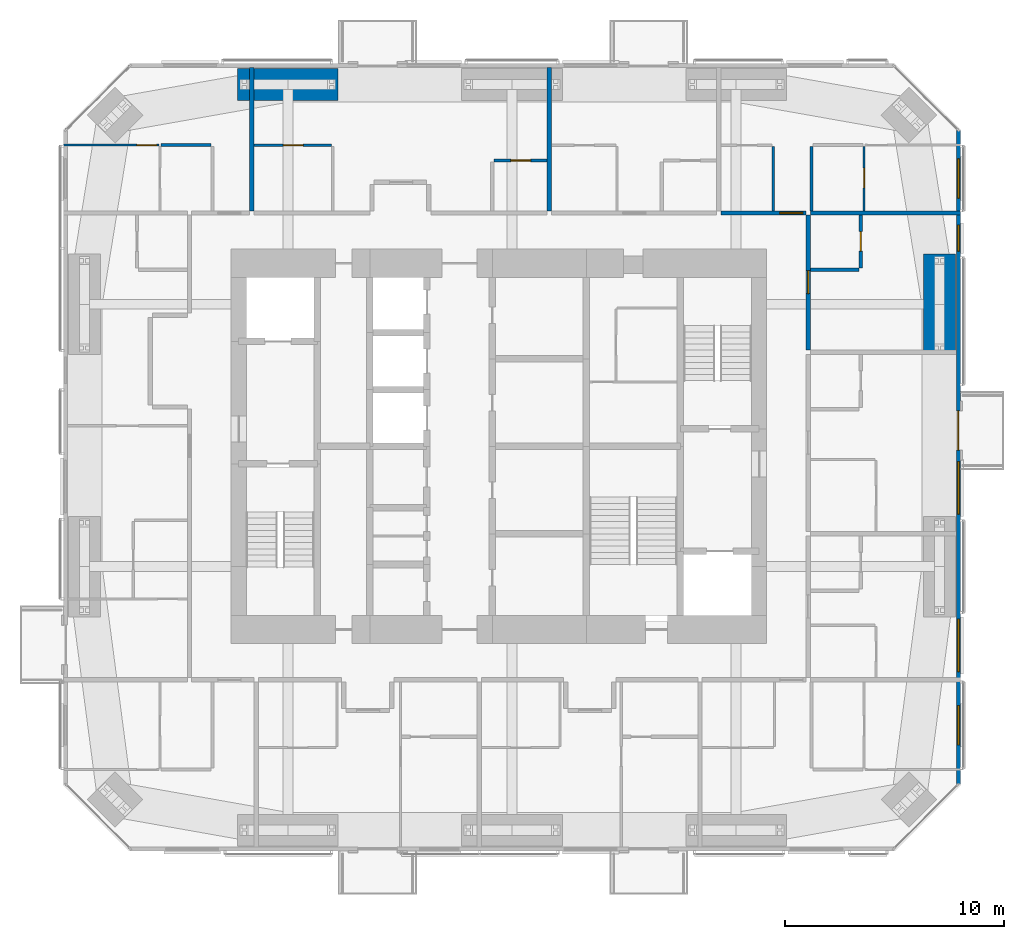
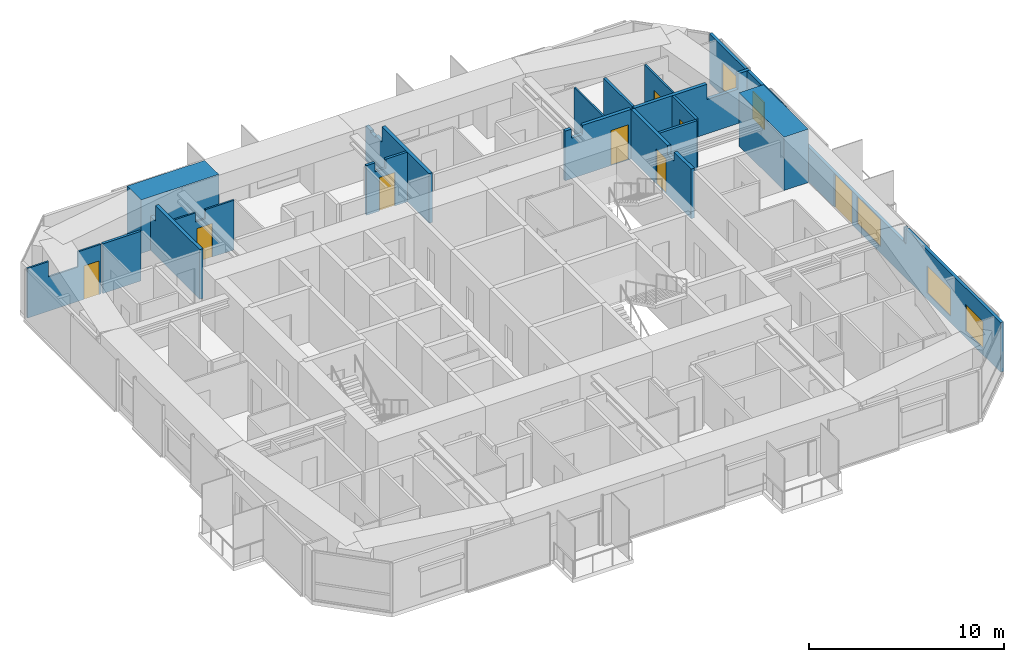
# One storey, part 20 of 22: 17 walls, 8 doors, 5 windows, 13 openings.
"""IFC4 building model written with IfcOpenShell, lengths in metres."""

from ifc_helpers import new_model, si_unit, direction, frame, frame_2d, origin, place, context, subcontext, project, spatial, polyline, rectangle, outline, extrude, material, layer, layer_set, constituent, constituent_set, type_object, element, fill, save


model = new_model("IFC4")

# Units and contexts
model_context = context("Model", 3, precision=1e-05, world=origin(), true_north=direction((0.0, 1.0)))
body_context = subcontext(model_context, "Body", "Model", "MODEL_VIEW")
ifc_project = project(units=[si_unit("LENGTHUNIT", "METRE"), si_unit("AREAUNIT", "SQUARE_METRE"), si_unit("VOLUMEUNIT", "CUBIC_METRE"), si_unit("PLANEANGLEUNIT", "RADIAN"), si_unit("MASSUNIT", "GRAM", prefix="KILO")], contexts=[model_context])

# Site, building, storey
site_placement = place(None, origin())
site = spatial("IfcSite", under=ifc_project, at=site_placement, CompositionType="ELEMENT")
building_placement = place(site_placement, origin())
building = spatial("IfcBuilding", under=site, at=building_placement, Name="Jalousie Tower", CompositionType="ELEMENT")
storey_placement = place(building_placement, frame((0.0, 0.0, 161.050048828125)))
storey = spatial("IfcBuildingStorey", under=building, at=storey_placement, Name="L43", CompositionType="ELEMENT", Elevation=161.050048828125)

# Wall
ifc_material_1 = material(Name="Concrete block ASTM C90", Category="concrete")
ifc_constituent_1 = constituent(ifc_material_1, Name="Body")
ifc_material_2 = material(Name="Render")
ifc_constituent_2 = constituent(ifc_material_2, Name="Finish")
ifc_constituent_set_1 = constituent_set(constituents=[ifc_constituent_1, ifc_constituent_2])
wall_type_1 = type_object("IfcWallType", Name="BATHROOM WALL 150", PredefinedType="PLUMBINGWALL", material=ifc_constituent_set_1)
wall_1_placement = place(storey_placement, frame((18.72509765625, 32.27880859375, 0.0), z_axis=(0.0, 0.0, 1.0), x_axis=(-1.0, 0.0, 0.0)))
element("IfcWall", 1, at=wall_1_placement, inside=storey, type_object=wall_type_1, Name="Bathroom Wall 150 L43", PredefinedType="PLUMBINGWALL", context=body_context, shape_type="SweptSolid", body=[
    extrude(rectangle(XDim=2.275146484375, YDim=0.14990234375, at=frame_2d((1.1376953125, 0.0))), origin(), (0.0, 0.0, 1.0), 3.10986328125),
])

# Wall, opening, door
wall_2_placement = place(storey_placement, frame((31.675048828125, 31.574951171875, 0.0), z_axis=(0.0, 0.0, 1.0), x_axis=(1.0, 0.0, 0.0)))
wall_2 = element("IfcWall", 2, at=wall_2_placement, inside=storey, type_object=wall_type_1, Name="Bathroom Wall 150 L43", PredefinedType="PLUMBINGWALL", context=body_context, shape_type="SweptSolid", body=[
    extrude(outline(polyline([(0.0, 0.0), (2.425048828125, 0.0), (2.425048828125, 3.10986328125), (1.137451171875, 3.10986328125), (1.137451171875, 2.541015625), (0.5126953125, 2.541015625), (0.5126953125, 3.10986328125), (0.0, 3.10986328125), (0.0, 0.0)])), frame((0.0, 0.074951171875, 0.0), z_axis=(0.0, -1.0, 0.0), x_axis=(1.0, 0.0, 0.0)), (0.0, 0.0, 1.0), 0.14990234375),
])
opening_1_placement = place(wall_2_placement, frame((0.77490234375, 0.0, 0.0)))
opening_1 = element("IfcOpeningElement", 3, at=opening_1_placement, cuts=wall_2, Name="Opening D3", PredefinedType="OPENING", context=body_context, shape_type="SweptSolid", body=[
    extrude(rectangle(XDim=0.89990234375, YDim=2.10009765625, at=frame_2d((0.449951171875, 1.050048828125))), frame((0.0, 0.0849609375, 0.0), z_axis=(0.0, -1.0, 0.0), x_axis=(1.0, 0.0, 0.0)), (0.0, 0.0, 1.0), 0.169921875),
])
ifc_material_3 = material(Name="Timber door", Category="wood")
door_type_1 = type_object("IfcDoorType", Name="BATHROOM DOOR 900", OperationType="SINGLE_SWING_LEFT", PredefinedType="DOOR", material=ifc_material_3)
door_1_placement = place(opening_1_placement, frame((0.89990234375, 0.0, 0.0), z_axis=(0.0, 0.0, 1.0), x_axis=(-1.0, 0.0, 0.0)))
door_1 = element("IfcDoor", 4, at=door_1_placement, inside=storey, type_object=door_type_1, Name="Apartment 4306 bathroom door", OperationType="SINGLE_SWING_LEFT", OverallHeight=2.10009765625, OverallWidth=0.89990234375, PredefinedType="DOOR", context=body_context, shape_type="SweptSolid", body=[
    extrude(rectangle(XDim=0.89990234375, YDim=2.10009765625, at=frame_2d((0.449951171875, 1.050048828125))), frame((0.0, 0.02490234375, 0.0), z_axis=(0.0, -1.0, 0.0), x_axis=(1.0, 0.0, 0.0)), (0.0, 0.0, 1.0), 0.050048828125),
])
fill(opening_1, door_1)

# Wall
wall_3_placement = place(storey_placement, frame((46.199951171875, 32.20361328125, 0.0), z_axis=(0.0, 0.0, 1.0), x_axis=(0.0, -1.0, 0.0)))
element("IfcWall", 5, at=wall_3_placement, inside=storey, type_object=wall_type_1, Name="Bathroom Wall 150 L43", PredefinedType="PLUMBINGWALL", context=body_context, shape_type="SweptSolid", body=[
    extrude(rectangle(XDim=2.9287109375, YDim=0.14990234375, at=frame_2d((1.46435546875, 0.0))), origin(), (0.0, 0.0, 1.0), 3.10986328125),
])

# Wall, opening, door
wall_4_placement = place(storey_placement, frame((48.449951171875, 26.64990234375, 0.0), z_axis=(0.0, 0.0, 1.0), x_axis=(0.0, 1.0, 0.0)))
wall_4 = element("IfcWall", 6, at=wall_4_placement, inside=storey, type_object=wall_type_1, Name="Bathroom Wall 150 L43", PredefinedType="PLUMBINGWALL", context=body_context, shape_type="SweptSolid", body=[
    extrude(rectangle(XDim=2.425048828125, YDim=0.14990234375, at=frame_2d((1.21240234375, 0.0))), origin(), (0.0, 0.0, 1.0), 3.10986328125),
])
opening_2_placement = place(wall_4_placement, frame((0.77490234375, 0.0, 0.0)))
opening_2 = element("IfcOpeningElement", 7, at=opening_2_placement, cuts=wall_4, Name="Opening D3", PredefinedType="OPENING", context=body_context, shape_type="SweptSolid", body=[
    extrude(rectangle(XDim=0.89990234375, YDim=2.10009765625, at=frame_2d((0.449951171875, 1.050048828125))), frame((0.0, 0.0849609375, 0.0), z_axis=(0.0, -1.0, 0.0), x_axis=(1.0, 0.0, 0.0)), (0.0, 0.0, 1.0), 0.169921875),
])
door_2_placement = place(opening_2_placement, origin())
door_2 = element("IfcDoor", 8, at=door_2_placement, inside=storey, type_object=door_type_1, Name="Apartment 4312 bathroom door", OperationType="SINGLE_SWING_RIGHT", OverallHeight=2.10009765625, OverallWidth=0.89990234375, PredefinedType="DOOR", context=body_context, shape_type="SweptSolid", body=[
    extrude(rectangle(XDim=0.89990234375, YDim=2.10009765625, at=frame_2d((0.449951171875, 1.050048828125))), frame((0.0, 0.02490234375, 0.0), z_axis=(0.0, -1.0, 0.0), x_axis=(1.0, 0.0, 0.0)), (0.0, 0.0, 1.0), 0.050048828125),
])
fill(opening_2, door_2)

# Wall
wall_5_placement = place(storey_placement, frame((48.375, 26.574951171875, 0.0), z_axis=(0.0, 0.0, 1.0), x_axis=(-1.0, 0.0, 0.0)))
element("IfcWall", 9, at=wall_5_placement, inside=storey, type_object=wall_type_1, Name="Bathroom Wall 150 L43", PredefinedType="PLUMBINGWALL", context=body_context, shape_type="SweptSolid", body=[
    extrude(rectangle(XDim=2.22509765625, YDim=0.14990234375, at=frame_2d((1.112548828125, 0.0))), origin(), (0.0, 0.0, 1.0), 3.10986328125),
])

# Wall, opening, door
ifc_material_4 = material(Name="Concrete block ASTM C90", Category="concrete")
ifc_constituent_3 = constituent(ifc_material_4, Name="Body")
ifc_material_5 = material(Name="Render")
ifc_constituent_4 = constituent(ifc_material_5, Name="Finish")
ifc_constituent_set_2 = constituent_set(constituents=[ifc_constituent_3, ifc_constituent_4])
wall_type_2 = type_object("IfcWallType", Name="CORRIDOR WALL 200", PredefinedType="PARTITIONING", material=ifc_constituent_set_2)
wall_6_placement = place(storey_placement, frame((42.050048828125, 29.175048828125, 0.0), z_axis=(0.0, 0.0, 1.0), x_axis=(1.0, 0.0, 0.0)))
wall_6 = element("IfcWall", 10, at=wall_6_placement, inside=storey, type_object=wall_type_2, Name="Corridor Wall 200 L43", PredefinedType="PARTITIONING", context=body_context, shape_type="SweptSolid", body=[
    extrude(outline(polyline([(0.0, 0.0), (3.89990234375, 0.0), (3.89990234375, 3.10986328125), (1.037353515625, 3.10986328125), (1.037353515625, 2.541015625), (0.362548828125, 2.541015625), (0.362548828125, 3.10986328125), (0.0, 3.10986328125), (0.0, 0.0)])), frame((0.0, 0.10009765625, 0.0), z_axis=(0.0, -1.0, 0.0), x_axis=(1.0, 0.0, 0.0)), (0.0, 0.0, 1.0), 0.199951171875),
])
opening_3_placement = place(wall_6_placement, frame((2.699951171875, 0.0, 0.0)))
opening_3 = element("IfcOpeningElement", 11, at=opening_3_placement, cuts=wall_6, Name="Opening D1", PredefinedType="OPENING", context=body_context, shape_type="SweptSolid", body=[
    extrude(rectangle(XDim=1.050048828125, YDim=2.199951171875, at=frame_2d((0.52490234375, 1.10009765625))), frame((0.0, 0.10986328125, 0.0), z_axis=(0.0, -1.0, 0.0), x_axis=(1.0, 0.0, 0.0)), (0.0, 0.0, 1.0), 0.219970703125),
])
ifc_material_6 = material(Name="Timber fire door", Category="wood")
door_type_2 = type_object("IfcDoorType", Name="APARTMENT ENTRANCE DOOR 1050", OperationType="SINGLE_SWING_LEFT", PredefinedType="DOOR", material=ifc_material_6)
door_3_placement = place(opening_3_placement, origin())
door_3 = element("IfcDoor", 12, at=door_3_placement, inside=storey, type_object=door_type_2, Name="Apartment 4308 entrance", OperationType="SINGLE_SWING_LEFT", OverallHeight=2.199951171875, OverallWidth=1.050048828125, PredefinedType="DOOR", context=body_context, shape_type="SweptSolid", body=[
    extrude(rectangle(XDim=1.050048828125, YDim=2.199951171875, at=frame_2d((0.52490234375, 1.10009765625))), frame((0.0, 0.02490234375, 0.0), z_axis=(0.0, -1.0, 0.0), x_axis=(1.0, 0.0, 0.0)), (0.0, 0.0, 1.0), 0.050048828125),
])
fill(opening_3, door_3)

wall_7_placement = place(storey_placement, frame((46.050048828125, 22.89990234375, 0.0), z_axis=(0.0, 0.0, 1.0), x_axis=(0.0, 1.0, 0.0)))
wall_7 = element("IfcWall", 13, at=wall_7_placement, inside=storey, type_object=wall_type_2, Name="Corridor Wall 200 L43", PredefinedType="PARTITIONING", context=body_context, shape_type="SweptSolid", body=[
    extrude(outline(polyline([(0.0, 0.0), (6.175048828125, 0.0), (6.175048828125, 3.10986328125), (2.437255859375, 3.10986328125), (2.437255859375, 2.541015625), (1.7626953125, 2.541015625), (1.7626953125, 3.10986328125), (0.0, 3.10986328125), (0.0, 0.0)])), frame((0.0, 0.10009765625, 0.0), z_axis=(0.0, -1.0, 0.0), x_axis=(1.0, 0.0, 0.0)), (0.0, 0.0, 1.0), 0.199951171875),
])
opening_4_placement = place(wall_7_placement, frame((2.58740234375, 0.0, 0.0)))
opening_4 = element("IfcOpeningElement", 14, at=opening_4_placement, cuts=wall_7, Name="Opening D1", PredefinedType="OPENING", context=body_context, shape_type="SweptSolid", body=[
    extrude(rectangle(XDim=1.050048828125, YDim=2.199951171875, at=frame_2d((0.52490234375, 1.10009765625))), frame((0.0, 0.10986328125, 0.0), z_axis=(0.0, -1.0, 0.0), x_axis=(1.0, 0.0, 0.0)), (0.0, 0.0, 1.0), 0.219970703125),
])
door_4_placement = place(opening_4_placement, frame((1.050048828125, 0.0, 0.0), z_axis=(0.0, 0.0, 1.0), x_axis=(-1.0, 0.0, 0.0)))
door_4 = element("IfcDoor", 15, at=door_4_placement, inside=storey, type_object=door_type_2, Name="Apartment 4312 entrance", OperationType="SINGLE_SWING_LEFT", OverallHeight=2.199951171875, OverallWidth=1.050048828125, PredefinedType="DOOR", context=body_context, shape_type="SweptSolid", body=[
    extrude(rectangle(XDim=1.050048828125, YDim=2.199951171875, at=frame_2d((0.52490234375, 1.10009765625))), frame((0.0, 0.02490234375, 0.0), z_axis=(0.0, -1.0, 0.0), x_axis=(1.0, 0.0, 0.0)), (0.0, 0.0, 1.0), 0.050048828125),
])
fill(opening_4, door_4)

# Wall, openings, door, windows
ifc_material_7 = material(Name="Concrete f'c 40 MPa", Category="concrete")
ifc_constituent_5 = constituent(ifc_material_7, Name="Body")
ifc_material_8 = material(Name="Render, pastel lemon")
ifc_constituent_6 = constituent(ifc_material_8, Name="Finish")
ifc_constituent_set_3 = constituent_set(constituents=[ifc_constituent_5, ifc_constituent_6])
wall_type_3 = type_object("IfcWallType", Name="EXTERNAL WALL 175 LEMON RENDER", PredefinedType="SOLIDWALL", material=ifc_constituent_set_3)
wall_8_placement = place(storey_placement, frame((52.91259765625, 3.05126953125, 0.0), z_axis=(0.0, 0.0, 1.0), x_axis=(0.0, 1.0, 0.0)))
wall_8 = element("IfcWall", 16, at=wall_8_placement, inside=storey, type_object=wall_type_3, Name="External Wall 175 Lemon Render L43", PredefinedType="SOLIDWALL", context=body_context, shape_type="SweptSolid", body=[
    extrude(outline(polyline([(0.0, 0.0), (29.8974609375, 0.0), (29.8974609375, 3.10986328125), (22.16748046875, 3.10986328125), (22.16748046875, 2.14990234375), (22.073974609375, 2.14990234375), (22.073974609375, 3.10986328125), (21.94873046875, 3.10986328125), (21.94873046875, 2.14990234375), (9.94873046875, 2.14990234375), (9.94873046875, 3.10986328125), (9.846923828125, 3.10986328125), (9.846923828125, 2.14990234375), (9.7060546875, 2.14990234375), (9.7060546875, 3.10986328125), (0.0, 3.10986328125), (0.0, 0.0)])), frame((0.0, 0.08740234375, 0.0), z_axis=(0.0, -1.0, 0.0), x_axis=(1.0, 0.0, 0.0)), (0.0, 0.0, 1.0), 0.175048828125),
])
opening_5_placement = place(wall_8_placement, frame((1.796875, 0.0, 0.39990234375)))
opening_5 = element("IfcOpeningElement", 17, at=opening_5_placement, cuts=wall_8, Name="Opening W-BED170", PredefinedType="OPENING", context=body_context, shape_type="SweptSolid", body=[
    extrude(rectangle(XDim=1.800048828125, YDim=1.699951171875, at=frame_2d((0.89990234375, 0.85009765625))), frame((0.0, 0.097412109375, 0.0), z_axis=(0.0, -1.0, 0.0), x_axis=(1.0, 0.0, 0.0)), (0.0, 0.0, 1.0), 0.195068359375),
])
opening_6_placement = place(wall_8_placement, frame((5.148681640625, 0.0, 0.39990234375)))
opening_6 = element("IfcOpeningElement", 18, at=opening_6_placement, cuts=wall_8, Name="Opening W-LIV170", PredefinedType="OPENING", context=body_context, shape_type="SweptSolid", body=[
    extrude(rectangle(XDim=2.39990234375, YDim=1.699951171875, at=frame_2d((1.199951171875, 0.85009765625))), frame((0.0, 0.097412109375, 0.0), z_axis=(0.0, -1.0, 0.0), x_axis=(1.0, 0.0, 0.0)), (0.0, 0.0, 1.0), 0.195068359375),
])
opening_7_placement = place(wall_8_placement, frame((15.273681640625, 0.0, 0.0)))
opening_7 = element("IfcOpeningElement", 19, at=opening_7_placement, cuts=wall_8, Name="Opening D-BAL21", PredefinedType="OPENING", context=body_context, shape_type="SweptSolid", body=[
    extrude(rectangle(XDim=1.800048828125, YDim=2.10009765625, at=frame_2d((0.89990234375, 1.050048828125))), frame((0.0, 0.097412109375, 0.0), z_axis=(0.0, -1.0, 0.0), x_axis=(1.0, 0.0, 0.0)), (0.0, 0.0, 1.0), 0.195068359375),
])
opening_8_placement = place(wall_8_placement, frame((12.3486328125, 0.0, 0.39990234375)))
opening_8 = element("IfcOpeningElement", 20, at=opening_8_placement, cuts=wall_8, Name="Opening W-LIV170", PredefinedType="OPENING", context=body_context, shape_type="SweptSolid", body=[
    extrude(rectangle(XDim=2.39990234375, YDim=1.699951171875, at=frame_2d((1.199951171875, 0.85009765625))), frame((0.0, 0.097412109375, 0.0), z_axis=(0.0, -1.0, 0.0), x_axis=(1.0, 0.0, 0.0)), (0.0, 0.0, 1.0), 0.195068359375),
])
opening_9_placement = place(wall_8_placement, frame((24.373291015625, 0.0, 0.39990234375)))
opening_9 = element("IfcOpeningElement", 21, at=opening_9_placement, cuts=wall_8, Name="Opening W-COR170", PredefinedType="OPENING", context=body_context, shape_type="SweptSolid", body=[
    extrude(rectangle(XDim=1.199951171875, YDim=1.699951171875, at=frame_2d((0.60009765625, 0.85009765625))), frame((0.0, 0.097412109375, 0.0), z_axis=(0.0, -1.0, 0.0), x_axis=(1.0, 0.0, 0.0)), (0.0, 0.0, 1.0), 0.195068359375),
])
opening_10_placement = place(wall_8_placement, frame((26.800537109375, 0.0, 0.39990234375)))
opening_10 = element("IfcOpeningElement", 22, at=opening_10_placement, cuts=wall_8, Name="Opening W-BED170", PredefinedType="OPENING", context=body_context, shape_type="SweptSolid", body=[
    extrude(rectangle(XDim=1.800048828125, YDim=1.699951171875, at=frame_2d((0.89990234375, 0.85009765625))), frame((0.0, 0.097412109375, 0.0), z_axis=(0.0, -1.0, 0.0), x_axis=(1.0, 0.0, 0.0)), (0.0, 0.0, 1.0), 0.195068359375),
])
ifc_material_9 = material(Name="Aluminium frame, impact-rated glazing", Category="aluminium")
door_type_3 = type_object("IfcDoorType", Name="BALCONY DOOR 1800x2100", OperationType="SLIDING_TO_LEFT", PredefinedType="DOOR", material=ifc_material_9)
door_5_placement = place(opening_7_placement, origin())
door_5 = element("IfcDoor", 23, at=door_5_placement, inside=storey, type_object=door_type_3, Name="Apartment 4311 studio living and sleeping room balcony door", OperationType="SLIDING_TO_LEFT", OverallHeight=2.10009765625, OverallWidth=1.800048828125, PredefinedType="DOOR", context=body_context, shape_type="SweptSolid", body=[
    extrude(rectangle(XDim=1.800048828125, YDim=2.10009765625, at=frame_2d((0.89990234375, 1.050048828125))), frame((0.0, 0.02490234375, 0.0), z_axis=(0.0, -1.0, 0.0), x_axis=(1.0, 0.0, 0.0)), (0.0, 0.0, 1.0), 0.050048828125),
])
fill(opening_7, door_5)
ifc_material_10 = material(Name="Aluminium frame, impact-rated glazing", Category="aluminium")
window_type_1 = type_object("IfcWindowType", Name="WINDOW BED 1800x1700", PartitioningType="SINGLE_PANEL", PredefinedType="WINDOW", material=ifc_material_10)
window_1_placement = place(opening_5_placement, origin())
window_1 = element("IfcWindow", 24, at=window_1_placement, inside=storey, type_object=window_type_1, Name="Apartment 4304 bedroom 1 window", OverallHeight=1.699951171875, OverallWidth=1.800048828125, PartitioningType="SINGLE_PANEL", PredefinedType="WINDOW", context=body_context, shape_type="SweptSolid", body=[
    extrude(rectangle(XDim=1.800048828125, YDim=1.699951171875, at=frame_2d((0.89990234375, 0.85009765625))), frame((0.0, 0.030029296875, 0.0), z_axis=(0.0, -1.0, 0.0), x_axis=(1.0, 0.0, 0.0)), (0.0, 0.0, 1.0), 0.06005859375),
])
fill(opening_5, window_1)
window_2_placement = place(opening_10_placement, origin())
window_2 = element("IfcWindow", 25, at=window_2_placement, inside=storey, type_object=window_type_1, Name="Apartment 4308 bedroom 1 window", OverallHeight=1.699951171875, OverallWidth=1.800048828125, PartitioningType="SINGLE_PANEL", PredefinedType="WINDOW", context=body_context, shape_type="SweptSolid", body=[
    extrude(rectangle(XDim=1.800048828125, YDim=1.699951171875, at=frame_2d((0.89990234375, 0.85009765625))), frame((0.0, 0.030029296875, 0.0), z_axis=(0.0, -1.0, 0.0), x_axis=(1.0, 0.0, 0.0)), (0.0, 0.0, 1.0), 0.06005859375),
])
fill(opening_10, window_2)
ifc_material_11 = material(Name="Aluminium frame, impact-rated glazing", Category="aluminium")
window_type_2 = type_object("IfcWindowType", Name="WINDOW COR 1200x1700", PartitioningType="SINGLE_PANEL", PredefinedType="WINDOW", material=ifc_material_11)
window_3_placement = place(opening_9_placement, origin())
window_3 = element("IfcWindow", 26, at=window_3_placement, inside=storey, type_object=window_type_2, Name="Apartment 4312 studio kitchen, living and sleeping room window", OverallHeight=1.699951171875, OverallWidth=1.199951171875, PartitioningType="SINGLE_PANEL", PredefinedType="WINDOW", context=body_context, shape_type="SweptSolid", body=[
    extrude(rectangle(XDim=1.199951171875, YDim=1.699951171875, at=frame_2d((0.60009765625, 0.85009765625))), frame((0.0, 0.030029296875, 0.0), z_axis=(0.0, -1.0, 0.0), x_axis=(1.0, 0.0, 0.0)), (0.0, 0.0, 1.0), 0.06005859375),
])
fill(opening_9, window_3)
ifc_material_12 = material(Name="Aluminium frame, impact-rated glazing", Category="aluminium")
window_type_3 = type_object("IfcWindowType", Name="WINDOW LIV 2400x1700", PartitioningType="DOUBLE_PANEL_VERTICAL", PredefinedType="WINDOW", material=ifc_material_12)
window_4_placement = place(opening_6_placement, origin())
window_4 = element("IfcWindow", 27, at=window_4_placement, inside=storey, type_object=window_type_3, Name="Apartment 4310 studio living and sleeping room window", OverallHeight=1.699951171875, OverallWidth=2.39990234375, PartitioningType="SINGLE_PANEL", PredefinedType="WINDOW", context=body_context, shape_type="SweptSolid", body=[
    extrude(rectangle(XDim=2.39990234375, YDim=1.699951171875, at=frame_2d((1.199951171875, 0.85009765625))), frame((0.0, 0.030029296875, 0.0), z_axis=(0.0, -1.0, 0.0), x_axis=(1.0, 0.0, 0.0)), (0.0, 0.0, 1.0), 0.06005859375),
])
fill(opening_6, window_4)
window_5_placement = place(opening_8_placement, origin())
window_5 = element("IfcWindow", 28, at=window_5_placement, inside=storey, type_object=window_type_3, Name="Apartment 4311 studio living and sleeping room window", OverallHeight=1.699951171875, OverallWidth=2.39990234375, PartitioningType="SINGLE_PANEL", PredefinedType="WINDOW", context=body_context, shape_type="SweptSolid", body=[
    extrude(rectangle(XDim=2.39990234375, YDim=1.699951171875, at=frame_2d((1.199951171875, 0.85009765625))), frame((0.0, 0.030029296875, 0.0), z_axis=(0.0, -1.0, 0.0), x_axis=(1.0, 0.0, 0.0)), (0.0, 0.0, 1.0), 0.06005859375),
])
fill(opening_8, window_5)

# Wall, opening, door
ifc_material_13 = material(Name="Gypsum board", Category="gypsum")
ifc_constituent_7 = constituent(ifc_material_13, Name="Body")
ifc_material_14 = material(Name="Light-gauge steel studs ASTM A653 SS Grade 33", Category="steel")
ifc_constituent_8 = constituent(ifc_material_14, Name="Framing")
ifc_constituent_set_4 = constituent_set(constituents=[ifc_constituent_7, ifc_constituent_8])
wall_type_4 = type_object("IfcWallType", Name="PARTITION 100", PredefinedType="PARTITIONING", material=ifc_constituent_set_4)
wall_9_placement = place(storey_placement, frame((16.35009765625, 32.27880859375, 0.0), z_axis=(0.0, 0.0, 1.0), x_axis=(-1.0, 0.0, 0.0)))
wall_9 = element("IfcWall", 29, at=wall_9_placement, inside=storey, type_object=wall_type_4, Name="Partition 100 L43", PredefinedType="PARTITIONING", context=body_context, shape_type="SweptSolid", body=[
    extrude(outline(polyline([(0.0, 0.0), (4.35009765625, 0.0), (4.35009765625, 3.10986328125), (3.094482421875, 3.10986328125), (3.094482421875, 2.14990234375), (1.352294921875, 2.14990234375), (1.352294921875, 3.10986328125), (0.0, 3.10986328125), (0.0, 0.0)])), frame((0.0, 0.050048828125, 0.0), z_axis=(0.0, -1.0, 0.0), x_axis=(1.0, 0.0, 0.0)), (0.0, 0.0, 1.0), 0.10009765625),
])
opening_11_placement = place(wall_9_placement, frame((0.10009765625, 0.0, 0.0)))
opening_11 = element("IfcOpeningElement", 30, at=opening_11_placement, cuts=wall_9, Name="Opening D2", PredefinedType="OPENING", context=body_context, shape_type="SweptSolid", body=[
    extrude(rectangle(XDim=0.89990234375, YDim=2.10009765625, at=frame_2d((0.449951171875, 1.050048828125))), frame((0.0, 0.06005859375, 0.0), z_axis=(0.0, -1.0, 0.0), x_axis=(1.0, 0.0, 0.0)), (0.0, 0.0, 1.0), 0.1201171875),
])
ifc_material_15 = material(Name="Timber door", Category="wood")
door_type_4 = type_object("IfcDoorType", Name="BEDROOM DOOR 900", OperationType="SINGLE_SWING_LEFT", PredefinedType="DOOR", material=ifc_material_15)
door_6_placement = place(opening_11_placement, origin())
door_6 = element("IfcDoor", 31, at=door_6_placement, inside=storey, type_object=door_type_4, Name="Apartment 4305 bedroom 1 door", OperationType="SINGLE_SWING_LEFT", OverallHeight=2.10009765625, OverallWidth=0.89990234375, PredefinedType="DOOR", context=body_context, shape_type="SweptSolid", body=[
    extrude(rectangle(XDim=0.89990234375, YDim=2.10009765625, at=frame_2d((0.449951171875, 1.050048828125))), frame((0.0, 0.02490234375, 0.0), z_axis=(0.0, -1.0, 0.0), x_axis=(1.0, 0.0, 0.0)), (0.0, 0.0, 1.0), 0.050048828125),
])
fill(opening_11, door_6)

wall_10_placement = place(storey_placement, frame((20.699951171875, 32.27490234375, 0.0), z_axis=(0.0, 0.0, 1.0), x_axis=(1.0, 0.0, 0.0)))
wall_10 = element("IfcWall", 32, at=wall_10_placement, inside=storey, type_object=wall_type_4, Name="Partition 100 L43", PredefinedType="PARTITIONING", context=body_context, shape_type="SweptSolid", body=[
    extrude(outline(polyline([(0.0, 0.0), (3.550048828125, 0.0), (3.550048828125, 3.10986328125), (1.83740234375, 3.10986328125), (1.83740234375, 2.541015625), (1.2626953125, 2.541015625), (1.2626953125, 3.10986328125), (0.0, 3.10986328125), (0.0, 0.0)])), frame((0.0, 0.050048828125, 0.0), z_axis=(0.0, -1.0, 0.0), x_axis=(1.0, 0.0, 0.0)), (0.0, 0.0, 1.0), 0.10009765625),
])
opening_12_placement = place(wall_10_placement, frame((1.35009765625, 0.0, 0.0)))
opening_12 = element("IfcOpeningElement", 33, at=opening_12_placement, cuts=wall_10, Name="Opening D7", PredefinedType="OPENING", context=body_context, shape_type="SweptSolid", body=[
    extrude(rectangle(XDim=0.89990234375, YDim=2.10009765625, at=frame_2d((0.449951171875, 1.050048828125))), frame((0.0, 0.06005859375, 0.0), z_axis=(0.0, -1.0, 0.0), x_axis=(1.0, 0.0, 0.0)), (0.0, 0.0, 1.0), 0.1201171875),
])
ifc_material_16 = material(Name="Timber door", Category="wood")
door_type_5 = type_object("IfcDoorType", Name="INTERNAL DOOR 900", OperationType="SINGLE_SWING_LEFT", PredefinedType="DOOR", material=ifc_material_16)
door_7_placement = place(opening_12_placement, frame((0.89990234375, 0.0, 0.0), z_axis=(0.0, 0.0, 1.0), x_axis=(-1.0, 0.0, 0.0)))
door_7 = element("IfcDoor", 34, at=door_7_placement, inside=storey, type_object=door_type_5, Name="Apartment 4306 kitchen door", OperationType="SINGLE_SWING_LEFT", OverallHeight=2.10009765625, OverallWidth=0.89990234375, PredefinedType="DOOR", context=body_context, shape_type="SweptSolid", body=[
    extrude(rectangle(XDim=0.89990234375, YDim=2.10009765625, at=frame_2d((0.449951171875, 1.050048828125))), frame((0.0, 0.02490234375, 0.0), z_axis=(0.0, -1.0, 0.0), x_axis=(1.0, 0.0, 0.0)), (0.0, 0.0, 1.0), 0.050048828125),
])
fill(opening_12, door_7)

wall_11_placement = place(storey_placement, frame((48.60009765625, 32.20361328125, 0.0), z_axis=(0.0, 0.0, 1.0), x_axis=(0.0, -1.0, 0.0)))
wall_11 = element("IfcWall", 35, at=wall_11_placement, inside=storey, type_object=wall_type_4, Name="Partition 100 L43", PredefinedType="PARTITIONING", context=body_context, shape_type="SweptSolid", body=[
    extrude(rectangle(XDim=2.9287109375, YDim=0.10009765625, at=frame_2d((1.46435546875, 0.0))), origin(), (0.0, 0.0, 1.0), 3.10986328125),
])
opening_13_placement = place(wall_11_placement, frame((0.976806640625, 0.0, 0.0)))
opening_13 = element("IfcOpeningElement", 36, at=opening_13_placement, cuts=wall_11, Name="Opening D3", PredefinedType="OPENING", context=body_context, shape_type="SweptSolid", body=[
    extrude(rectangle(XDim=0.89990234375, YDim=2.10009765625, at=frame_2d((0.449951171875, 1.050048828125))), frame((0.0, 0.06005859375, 0.0), z_axis=(0.0, -1.0, 0.0), x_axis=(1.0, 0.0, 0.0)), (0.0, 0.0, 1.0), 0.1201171875),
])
door_8_placement = place(opening_13_placement, frame((0.89990234375, 0.0, 0.0), z_axis=(0.0, 0.0, 1.0), x_axis=(-1.0, 0.0, 0.0)))
door_8 = element("IfcDoor", 37, at=door_8_placement, inside=storey, type_object=door_type_1, Name="Apartment 4308 bedroom 1 bathroom door", OperationType="SINGLE_SWING_RIGHT", OverallHeight=2.10009765625, OverallWidth=0.89990234375, PredefinedType="DOOR", context=body_context, shape_type="SweptSolid", body=[
    extrude(rectangle(XDim=0.89990234375, YDim=2.10009765625, at=frame_2d((0.449951171875, 1.050048828125))), frame((0.0, 0.02490234375, 0.0), z_axis=(0.0, -1.0, 0.0), x_axis=(1.0, 0.0, 0.0)), (0.0, 0.0, 1.0), 0.050048828125),
])
fill(opening_13, door_8)

# Walls
wall_12_placement = place(storey_placement, frame((44.449951171875, 32.22509765625, 0.0), z_axis=(0.0, 0.0, 1.0), x_axis=(0.0, -1.0, 0.0)))
element("IfcWall", 38, at=wall_12_placement, inside=storey, type_object=wall_type_4, Name="Partition 100 L43", PredefinedType="PARTITIONING", context=body_context, shape_type="SweptSolid", body=[
    extrude(rectangle(XDim=2.9501953125, YDim=0.10009765625, at=frame_2d((1.47509765625, 0.0))), origin(), (0.0, 0.0, 1.0), 3.10986328125),
])
ifc_material_17 = material(Name="Concrete block ASTM C90", Category="concrete")
ifc_constituent_9 = constituent(ifc_material_17, Name="Body")
ifc_material_18 = material(Name="Render")
ifc_constituent_10 = constituent(ifc_material_18, Name="Finish")
ifc_constituent_set_5 = constituent_set(constituents=[ifc_constituent_9, ifc_constituent_10])
wall_type_5 = type_object("IfcWallType", Name="PARTY WALL 200", PredefinedType="PARTITIONING", material=ifc_constituent_set_5)
wall_13_placement = place(storey_placement, frame((20.60009765625, 35.824951171875, 0.0), z_axis=(0.0, 0.0, 1.0), x_axis=(0.0, -1.0, 0.0)))
element("IfcWall", 39, at=wall_13_placement, inside=storey, type_object=wall_type_5, Name="Party Wall 200 L43", PredefinedType="PARTITIONING", context=body_context, shape_type="SweptSolid", body=[
    extrude(outline(polyline([(0.142822265625, 3.10986328125), (0.0, 3.10986328125), (0.0, 0.0), (0.52880859375, 0.0), (0.52880859375, 0.16455078125), (1.021240234375, 0.16455078125), (1.021240234375, 0.0), (6.550048828125, 0.0), (6.550048828125, 3.10986328125), (1.9912109375, 3.10986328125), (1.9912109375, 2.14990234375), (1.021240234375, 2.14990234375), (1.021240234375, 1.9853515625), (0.52880859375, 1.9853515625), (0.52880859375, 2.14990234375), (0.142822265625, 2.14990234375), (0.142822265625, 3.10986328125)])), frame((0.0, 0.10009765625, 0.0), z_axis=(0.0, -1.0, 0.0), x_axis=(1.0, 0.0, 0.0)), (0.0, 0.0, 1.0), 0.199951171875),
])
wall_14_placement = place(storey_placement, frame((34.199951171875, 35.824951171875, 0.0), z_axis=(0.0, 0.0, 1.0), x_axis=(0.0, -1.0, 0.0)))
element("IfcWall", 40, at=wall_14_placement, inside=storey, type_object=wall_type_5, Name="Party Wall 200 L43", PredefinedType="PARTITIONING", context=body_context, shape_type="SweptSolid", body=[
    extrude(outline(polyline([(0.52880859375, 2.14990234375), (0.0, 2.14990234375), (0.0, 0.0), (0.52880859375, 0.0), (0.52880859375, 0.12255859375), (1.021240234375, 0.12255859375), (1.021240234375, 0.0), (6.550048828125, 0.0), (6.550048828125, 3.10986328125), (1.68505859375, 3.10986328125), (1.68505859375, 2.14990234375), (1.021240234375, 2.14990234375), (1.021240234375, 2.02734375), (0.52880859375, 2.02734375), (0.52880859375, 2.14990234375)])), frame((0.0, 0.10009765625, 0.0), z_axis=(0.0, -1.0, 0.0), x_axis=(1.0, 0.0, 0.0)), (0.0, 0.0, 1.0), 0.199951171875),
])
wall_15_placement = place(storey_placement, frame((46.14990234375, 29.175048828125, 0.0), z_axis=(0.0, 0.0, 1.0), x_axis=(1.0, 0.0, 0.0)))
element("IfcWall", 41, at=wall_15_placement, inside=storey, type_object=wall_type_5, Name="Party Wall 200 L43", PredefinedType="PARTITIONING", context=body_context, shape_type="SweptSolid", body=[
    extrude(outline(polyline([(0.0, 0.0), (6.85009765625, 0.0), (6.85009765625, 3.10986328125), (6.14697265625, 3.10986328125), (6.14697265625, 2.14990234375), (4.30322265625, 2.14990234375), (4.30322265625, 3.10986328125), (0.0, 3.10986328125), (0.0, 0.0)])), frame((0.0, 0.10009765625, 0.0), z_axis=(0.0, -1.0, 0.0), x_axis=(1.0, 0.0, 0.0)), (0.0, 0.0, 1.0), 0.199951171875),
])
ifc_material_19 = material(Name="Concrete f'c 120 MPa", Category="concrete")
ifc_layer = layer(ifc_material_19, 1.449951171875)
ifc_layer_set = layer_set([ifc_layer], Name="Concrete f'c 120 MPa")
wall_type_6 = type_object("IfcWallType", Name="RC WALL PIER 1450", PredefinedType="SHEAR", material=ifc_layer_set)
for number, where, z_axis, x_axis, name in (
    (42, (52.050048828125, 22.699951171875, 0.0), (0.0, 0.0, 1.0), (0.0, 1.0, 0.0), "Wall pier 07 L43"),
    (43, (19.949951171875, 35.050048828125, 0.0), (0.0, 0.0, 1.0), (1.0, 0.0, 0.0), "Wall pier 11 L43"),
):
    element("IfcWall", number, at=place(storey_placement, frame(where, z_axis=z_axis, x_axis=x_axis)), inside=storey, type_object=wall_type_6, Name=name, PredefinedType="SHEAR", context=body_context, shape_type="SweptSolid", body=[
        extrude(rectangle(XDim=4.60009765625, YDim=1.449951171875, at=frame_2d((2.300048828125, 0.0))), origin(), (0.0, 0.0, 1.0), 3.349853515625),
    ])

save(model, "model.ifc")
